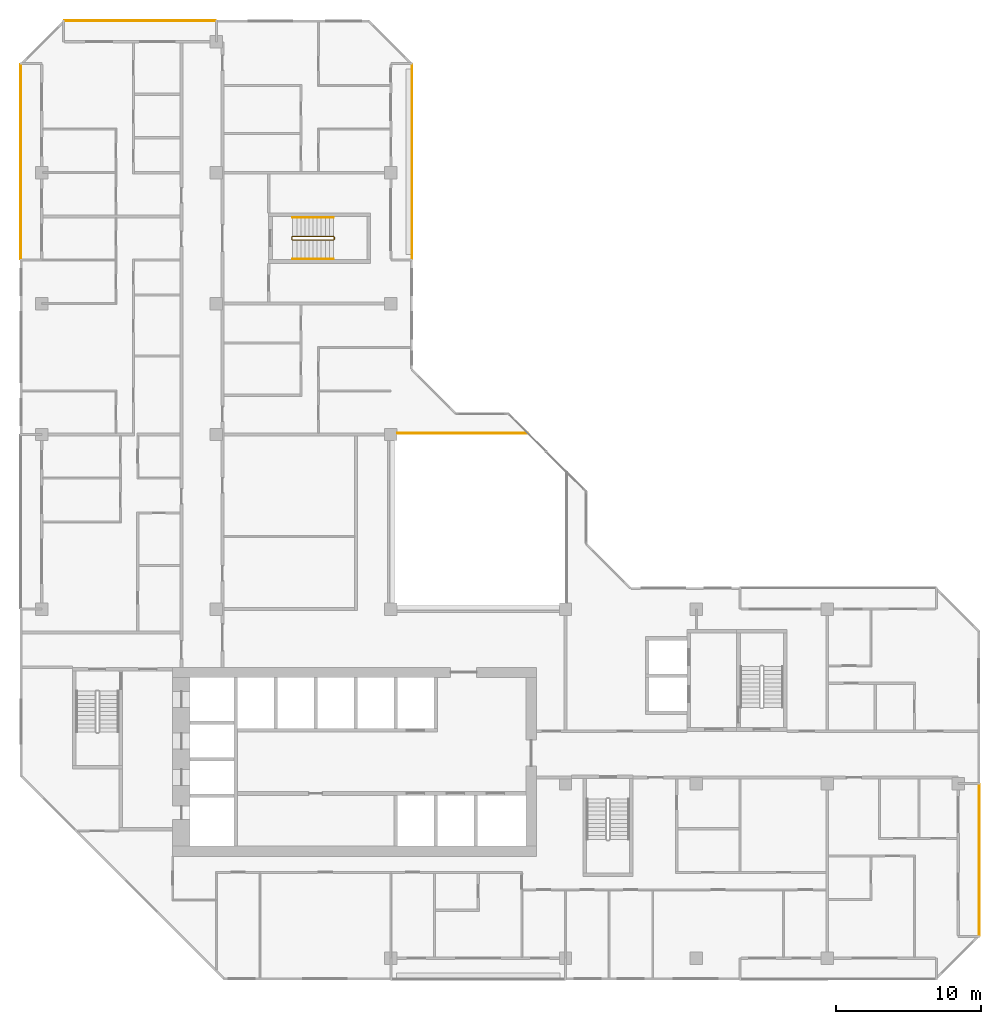
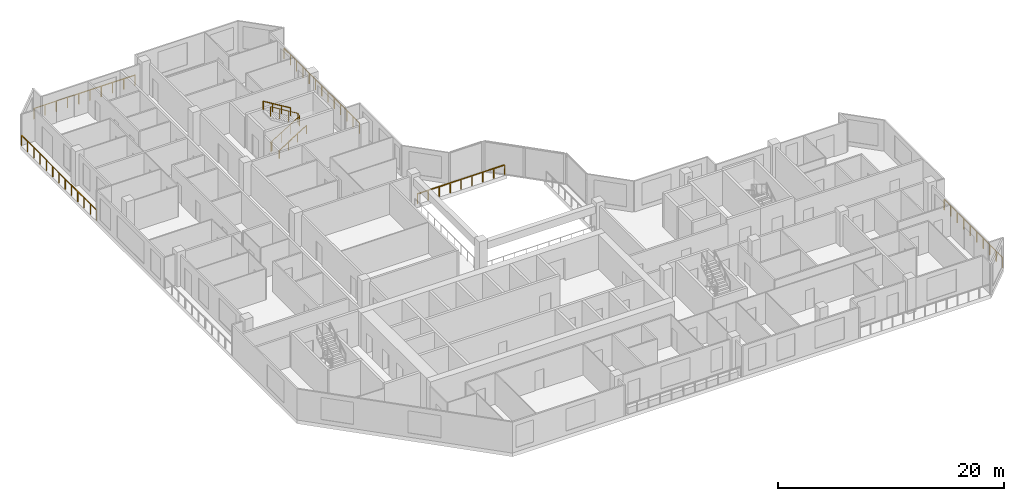
# One storey, part 14 of 14: 8 railings.
"""IFC4 building model written with IfcOpenShell, lengths in metres."""

import ifcopenshell
import ifcopenshell.guid

model = None  # the IFC model being written
_history = None  # IfcOwnerHistory: only IFC2X3 demands one
_inside = {}  # id of a spatial element -> (the spatial element, [elements in it])
_under = {}  # id of a project, library or spatial element -> (it, [spatial elements below it])
_declared = {}  # id of a project -> (the project, [libraries it declares])
_typed = {}  # id of a type object -> (the type object, [elements of that type])
_made_of = {}  # id of a material, layer set ... -> (it, [elements and type objects made of it])


def new_model(schema):
    """Start an empty IFC model of exactly this schema.

    Asked for "IFC4X3", IfcOpenShell would pick the latest addendum, in which some entities
    have other attributes; the version numbers below select the first issue.
    IFC2X3 requires an IfcOwnerHistory on every rooted entity: one is made here for all.
    """
    global model, _history
    if schema == "IFC4X3":
        model = ifcopenshell.file(schema_version=(4, 3, 0, 0))
    else:
        model = ifcopenshell.file(schema=schema)
    _inside.clear()
    _under.clear()
    _declared.clear()
    _typed.clear()
    _made_of.clear()
    _history = None
    if model.schema == "IFC2X3":
        org = make("IfcOrganization", Name="unknown")
        user = make(
            "IfcPersonAndOrganization",
            ThePerson=make("IfcPerson", FamilyName="unknown"),
            TheOrganization=org,
        )
        app = make(
            "IfcApplication",
            ApplicationDeveloper=org,
            Version="unknown",
            ApplicationFullName="unknown",
            ApplicationIdentifier="unknown",
        )
        _history = make(
            "IfcOwnerHistory",
            OwningUser=user,
            OwningApplication=app,
            ChangeAction="ADDED",
            CreationDate=0,
        )
    return model


def make(cls, **values):
    """One entity of the class cls with the attributes given. An attribute that is None is left unset."""
    return model.create_entity(
        cls, **{name: value for name, value in values.items() if value is not None}
    )


def rooted(cls, **values):
    """An entity with a GlobalId (a new one), such as an element, a storey or a relation."""
    return make(cls, GlobalId=ifcopenshell.guid.new(), OwnerHistory=_history, **values)


def si_unit(unit_type, name, prefix=None):
    """IfcSIUnit, for example si_unit("LENGTHUNIT", "METRE", prefix="MILLI")."""
    return make("IfcSIUnit", UnitType=unit_type, Prefix=prefix, Name=name)


def assignment(units):
    """IfcUnitAssignment: the units of a project."""
    return None if units is None else make("IfcUnitAssignment", Units=units)


def point(xyz):
    """IfcCartesianPoint."""
    return None if xyz is None else make("IfcCartesianPoint", Coordinates=xyz)


def direction(xyz):
    """IfcDirection."""
    return None if xyz is None else make("IfcDirection", DirectionRatios=xyz)


def frame(location, z_axis=None, x_axis=None):
    """IfcAxis2Placement3D, a coordinate frame: its origin and axes. An axis left out is left unset."""
    return make(
        "IfcAxis2Placement3D",
        Location=point(location),
        Axis=direction(z_axis),
        RefDirection=direction(x_axis),
    )


def frame_2d(location, x_axis=None):
    """IfcAxis2Placement2D, a coordinate frame in the plane: its origin and x axis."""
    return make(
        "IfcAxis2Placement2D", Location=point(location), RefDirection=direction(x_axis)
    )


def origin():
    """The frame at (0, 0, 0) with its axes left unset."""
    return frame((0.0, 0.0, 0.0))


def origin_2d():
    """The frame at (0, 0) in the plane with its x axis left unset."""
    return frame_2d((0.0, 0.0))


def place(relative_to, where):
    """IfcLocalPlacement: puts the frame where relative to a parent placement (None: the world)."""
    return make(
        "IfcLocalPlacement", PlacementRelTo=relative_to, RelativePlacement=where
    )


def context(
    kind, dimensions, precision=None, world=None, true_north=None, identifier=None
):
    """IfcGeometricRepresentationContext, for example the 3D "Model" context."""
    return make(
        "IfcGeometricRepresentationContext",
        ContextIdentifier=identifier,
        ContextType=kind,
        CoordinateSpaceDimension=dimensions,
        Precision=precision,
        WorldCoordinateSystem=world,
        TrueNorth=true_north,
    )


def subcontext(parent, identifier, kind, view, scale=None):
    """IfcGeometricRepresentationSubContext, for example "Body" below "Model"."""
    return make(
        "IfcGeometricRepresentationSubContext",
        ContextIdentifier=identifier,
        ContextType=kind,
        ParentContext=parent,
        TargetScale=scale,
        TargetView=view,
    )


def project(units=None, contexts=None):
    """IfcProject with its units and contexts."""
    return rooted(
        "IfcProject",
        Name="project",
        RepresentationContexts=contexts,
        UnitsInContext=assignment(units),
    )


def spatial(cls, under=None, at=None, **own):
    """A site, building, storey or space (cls), placed at a placement, below another one or the project."""
    s = rooted(cls, ObjectPlacement=at, **own)
    if under is not None:
        _under.setdefault(under.id(), (under, []))[1].append(s)
    return s


def profile(cls, at=None, kind="AREA", **sizes):
    """A parametric profile (cls). Its sizes go by their IFC names, for example OverallWidth=200.0."""
    return make(cls, ProfileType=kind, Position=at, **sizes)


def rectangle(**sizes):
    """IfcRectangleProfileDef."""
    return profile("IfcRectangleProfileDef", **sizes)


def extrude(swept, where, along, depth):
    """IfcExtrudedAreaSolid: the profile swept, set in the frame where, extruded along a direction by depth."""
    return make(
        "IfcExtrudedAreaSolid",
        SweptArea=swept,
        Position=where,
        ExtrudedDirection=direction(along),
        Depth=depth,
    )


def shape(context_of_items, identifier, shape_type, items):
    """IfcShapeRepresentation: the items that make up one representation, for example the "Body"."""
    return make(
        "IfcShapeRepresentation",
        ContextOfItems=context_of_items,
        RepresentationIdentifier=identifier,
        RepresentationType=shape_type,
        Items=items,
    )


def material(Name=None, Category=None):
    """IfcMaterial."""
    return make("IfcMaterial", Name=Name, Category=Category)


def made_of(thing, what):
    """Note that an element or type object is made of a material, layer set ...; save() writes the relation."""
    if what is not None:
        _made_of.setdefault(what.id(), (what, []))[1].append(thing)
    return thing


def type_object(cls, material=None, **own):
    """A type object (cls), such as IfcWallType, which elements share."""
    return made_of(rooted(cls, **own), material)


def element(
    cls,
    number,
    at=None,
    inside=None,
    cuts=None,
    type_object=None,
    material=None,
    context=None,
    identifier="Body",
    shape_type=None,
    held_by="IfcProductDefinitionShape",
    body=None,
    shapes=None,
    **own,
):
    """One element of the class cls, such as IfcWall. Its Tag is "e" and its number.

    at: its placement. inside: the storey or other place that contains it. cuts: it is an
    opening in that element (IfcRelVoidsElement). A single representation is given by context,
    identifier, shape_type and body (its items); several are given by shapes. held_by: the class
    of the entity that holds the representations. save() writes the other relations.
    """
    e = rooted(cls, Tag="e%d" % number, ObjectPlacement=at, **own)
    if body is not None:
        shapes = [shape(context, identifier, shape_type, body)]
    if shapes is not None:
        e.Representation = make(held_by, Representations=shapes)
    if inside is not None:
        _inside.setdefault(inside.id(), (inside, []))[1].append(e)
    if cuts is not None:
        rooted(
            "IfcRelVoidsElement", RelatingBuildingElement=cuts, RelatedOpeningElement=e
        )
    if type_object is not None:
        _typed.setdefault(type_object.id(), (type_object, []))[1].append(e)
    return made_of(e, material)


def aggregate(whole, parts):
    """IfcRelAggregates: a whole, such as a stair, and the parts it consists of."""
    return rooted("IfcRelAggregates", RelatingObject=whole, RelatedObjects=parts)


def save(model, path):
    """Write the relations noted so far, then the file.

    IfcRelAggregates (storeys below a building ...), IfcRelContainedInSpatialStructure (elements
    in a storey), IfcRelDefinesByType, IfcRelAssociatesMaterial and IfcRelDeclares: one each for
    every whole, place, type object, material and project.
    """
    for whole, parts in _under.values():
        aggregate(whole, parts)
    for where, things in _inside.values():
        rooted(
            "IfcRelContainedInSpatialStructure",
            RelatedElements=things,
            RelatingStructure=where,
        )
    for kind, things in _typed.values():
        rooted("IfcRelDefinesByType", RelatedObjects=things, RelatingType=kind)
    for what, things in _made_of.values():
        rooted("IfcRelAssociatesMaterial", RelatedObjects=things, RelatingMaterial=what)
    for by, libraries in _declared.values():
        rooted("IfcRelDeclares", RelatingContext=by, RelatedDefinitions=libraries)
    model.write(path)


model = new_model("IFC4")

# Units and contexts
model_context = context("Model", 3, precision=1e-05, world=origin(), true_north=direction((0.0, 1.0)))
body_context = subcontext(model_context, "Body", "Model", "MODEL_VIEW")
ifc_project = project(units=[si_unit("LENGTHUNIT", "METRE"), si_unit("AREAUNIT", "SQUARE_METRE"), si_unit("VOLUMEUNIT", "CUBIC_METRE"), si_unit("PLANEANGLEUNIT", "RADIAN"), si_unit("MASSUNIT", "GRAM", prefix="KILO")], contexts=[model_context])

# Site, building, storey
site_placement = place(None, origin())
site = spatial("IfcSite", under=ifc_project, at=site_placement, CompositionType="ELEMENT")
building_placement = place(site_placement, origin())
building = spatial("IfcBuilding", under=site, at=building_placement, Name="Chenar Terraces", CompositionType="ELEMENT")
storey_placement = place(building_placement, frame((0.0, 0.0, 241.64990234375)))
storey = spatial("IfcBuildingStorey", under=building, at=storey_placement, Name="L57", CompositionType="ELEMENT", Elevation=241.64990234375)

# Railings
ifc_material_1 = material(Name="Powder-coated steel", Category="steel")
railing_type_1 = type_object("IfcRailingType", Name="Guard 1100 steel rail with glass infill", PredefinedType="GUARDRAIL", material=ifc_material_1)
railing_1_placement = place(storey_placement, frame((24.47509765625, 36.10009765625, 0.0)))
element("IfcRailing", 1, at=railing_1_placement, inside=storey, type_object=railing_type_1, Name="Guard L57-2", PredefinedType="GUARDRAIL", context=body_context, shape_type="SweptSolid", body=[
    extrude(rectangle(XDim=0.06005859375, YDim=0.06005859375, at=origin_2d()), frame((0.0, 0.0, 1.070068359375), z_axis=(1.0, 0.0, 0.0), x_axis=(0.0, 1.0, 0.0)), (0.0, 0.0, 1.0), 8.9248046875),
    extrude(rectangle(XDim=0.050048828125, YDim=0.050048828125, at=origin_2d()), origin(), (0.0, 0.0, 1.0), 1.0400390625),
    extrude(rectangle(XDim=0.050048828125, YDim=0.050048828125, at=origin_2d()), frame((1.11572265625, 0.0, 0.0)), (0.0, 0.0, 1.0), 1.0400390625),
    extrude(rectangle(XDim=0.050048828125, YDim=0.050048828125, at=origin_2d()), frame((2.231201171875, 0.0, 0.0)), (0.0, 0.0, 1.0), 1.0400390625),
    extrude(rectangle(XDim=0.050048828125, YDim=0.050048828125, at=origin_2d()), frame((3.3466796875, 0.0, 0.0)), (0.0, 0.0, 1.0), 1.0400390625),
    extrude(rectangle(XDim=0.050048828125, YDim=0.050048828125, at=origin_2d()), frame((4.46240234375, 0.0, 0.0)), (0.0, 0.0, 1.0), 1.0400390625),
    extrude(rectangle(XDim=0.050048828125, YDim=0.050048828125, at=origin_2d()), frame((5.578125, 0.0, 0.0)), (0.0, 0.0, 1.0), 1.0400390625),
    extrude(rectangle(XDim=0.050048828125, YDim=0.050048828125, at=origin_2d()), frame((6.693603515625, 0.0, 0.0)), (0.0, 0.0, 1.0), 1.0400390625),
    extrude(rectangle(XDim=0.050048828125, YDim=0.050048828125, at=origin_2d()), frame((7.80908203125, 0.0, 0.0)), (0.0, 0.0, 1.0), 1.0400390625),
    extrude(rectangle(XDim=0.050048828125, YDim=0.050048828125, at=origin_2d()), frame((8.9248046875, 0.0, 0.0)), (0.0, 0.0, 1.0), 1.0400390625),
])
ifc_material_2 = material(Name="Stainless steel and glass", Category="steel")
railing_type_2 = type_object("IfcRailingType", Name="Loggia guard 1150", PredefinedType="GUARDRAIL", material=ifc_material_2)
railing_2_placement = place(storey_placement, frame((25.449951171875, 48.074951171875, 0.0)))
element("IfcRailing", 2, at=railing_2_placement, inside=storey, type_object=railing_type_2, Name="Loggia guard", PredefinedType="GUARDRAIL", context=body_context, shape_type="SweptSolid", body=[
    extrude(rectangle(XDim=0.048095703125, YDim=0.048095703125, at=origin_2d()), frame((0.0, 0.0, 1.1259765625), z_axis=(0.0, 1.0, 0.0), x_axis=(-1.0, 0.0, 0.0)), (0.0, 0.0, 1.0), 13.35009765625),
    extrude(rectangle(XDim=0.0419921875, YDim=0.0419921875, at=origin_2d()), origin(), (0.0, 0.0, 1.0), 1.101806640625),
    extrude(rectangle(XDim=0.0419921875, YDim=0.0419921875, at=origin_2d()), frame((0.0, 1.112548828125, 0.0)), (0.0, 0.0, 1.0), 1.101806640625),
    extrude(rectangle(XDim=0.0419921875, YDim=0.0419921875, at=origin_2d()), frame((0.0, 2.22509765625, 0.0)), (0.0, 0.0, 1.0), 1.101806640625),
    extrude(rectangle(XDim=0.0419921875, YDim=0.0419921875, at=origin_2d()), frame((0.0, 3.33740234375, 0.0)), (0.0, 0.0, 1.0), 1.101806640625),
    extrude(rectangle(XDim=0.0419921875, YDim=0.0419921875, at=origin_2d()), frame((0.0, 4.449951171875, 0.0)), (0.0, 0.0, 1.0), 1.101806640625),
    extrude(rectangle(XDim=0.0419921875, YDim=0.0419921875, at=origin_2d()), frame((0.0, 5.5625, 0.0)), (0.0, 0.0, 1.0), 1.101806640625),
    extrude(rectangle(XDim=0.0419921875, YDim=0.0419921875, at=origin_2d()), frame((0.0, 6.675048828125, 0.0)), (0.0, 0.0, 1.0), 1.101806640625),
    extrude(rectangle(XDim=0.0419921875, YDim=0.0419921875, at=origin_2d()), frame((0.0, 7.78759765625, 0.0)), (0.0, 0.0, 1.0), 1.101806640625),
    extrude(rectangle(XDim=0.0419921875, YDim=0.0419921875, at=origin_2d()), frame((0.0, 8.900146484375, 0.0)), (0.0, 0.0, 1.0), 1.101806640625),
    extrude(rectangle(XDim=0.0419921875, YDim=0.0419921875, at=origin_2d()), frame((0.0, 10.0126953125, 0.0)), (0.0, 0.0, 1.0), 1.101806640625),
    extrude(rectangle(XDim=0.0419921875, YDim=0.0419921875, at=origin_2d()), frame((0.0, 11.125, 0.0)), (0.0, 0.0, 1.0), 1.101806640625),
    extrude(rectangle(XDim=0.0419921875, YDim=0.0419921875, at=origin_2d()), frame((0.0, 12.237548828125, 0.0)), (0.0, 0.0, 1.0), 1.101806640625),
    extrude(rectangle(XDim=0.0419921875, YDim=0.0419921875, at=origin_2d()), frame((0.0, 13.35009765625, 0.0)), (0.0, 0.0, 1.0), 1.101806640625),
])
railing_3_placement = place(storey_placement, frame((64.449951171875, 1.574951171875, 0.0)))
element("IfcRailing", 3, at=railing_3_placement, inside=storey, type_object=railing_type_2, Name="Loggia guard", PredefinedType="GUARDRAIL", context=body_context, shape_type="SweptSolid", body=[
    extrude(rectangle(XDim=0.048095703125, YDim=0.048095703125, at=origin_2d()), frame((0.0, 0.0, 1.1259765625), z_axis=(0.0, 1.0, 0.0), x_axis=(-1.0, 0.0, 0.0)), (0.0, 0.0, 1.0), 10.35009765625),
    extrude(rectangle(XDim=0.0419921875, YDim=0.0419921875, at=origin_2d()), origin(), (0.0, 0.0, 1.0), 1.101806640625),
    extrude(rectangle(XDim=0.0419921875, YDim=0.0419921875, at=origin_2d()), frame((0.0, 1.14990234375, 0.0)), (0.0, 0.0, 1.0), 1.101806640625),
    extrude(rectangle(XDim=0.0419921875, YDim=0.0419921875, at=origin_2d()), frame((0.0, 2.300048828125, 0.0)), (0.0, 0.0, 1.0), 1.101806640625),
    extrude(rectangle(XDim=0.0419921875, YDim=0.0419921875, at=origin_2d()), frame((0.0, 3.449951171875, 0.0)), (0.0, 0.0, 1.0), 1.101806640625),
    extrude(rectangle(XDim=0.0419921875, YDim=0.0419921875, at=origin_2d()), frame((0.0, 4.60009765625, 0.0)), (0.0, 0.0, 1.0), 1.101806640625),
    extrude(rectangle(XDim=0.0419921875, YDim=0.0419921875, at=origin_2d()), frame((0.0, 5.75, 0.0)), (0.0, 0.0, 1.0), 1.101806640625),
    extrude(rectangle(XDim=0.0419921875, YDim=0.0419921875, at=origin_2d()), frame((0.0, 6.900146484375, 0.0)), (0.0, 0.0, 1.0), 1.101806640625),
    extrude(rectangle(XDim=0.0419921875, YDim=0.0419921875, at=origin_2d()), frame((0.0, 8.050048828125, 0.0)), (0.0, 0.0, 1.0), 1.101806640625),
    extrude(rectangle(XDim=0.0419921875, YDim=0.0419921875, at=origin_2d()), frame((0.0, 9.2001953125, 0.0)), (0.0, 0.0, 1.0), 1.101806640625),
    extrude(rectangle(XDim=0.0419921875, YDim=0.0419921875, at=origin_2d()), frame((0.0, 10.35009765625, 0.0)), (0.0, 0.0, 1.0), 1.101806640625),
])
railing_4_placement = place(storey_placement, frame((11.925048828125, 64.449951171875, 0.0)))
element("IfcRailing", 4, at=railing_4_placement, inside=storey, type_object=railing_type_2, Name="Loggia guard", PredefinedType="GUARDRAIL", context=body_context, shape_type="SweptSolid", body=[
    extrude(rectangle(XDim=0.048095703125, YDim=0.048095703125, at=origin_2d()), frame((0.0, 0.0, 1.1259765625), z_axis=(-1.0, 0.0, 0.0), x_axis=(0.0, -1.0, 0.0)), (0.0, 0.0, 1.0), 10.35009765625),
    extrude(rectangle(XDim=0.0419921875, YDim=0.0419921875, at=origin_2d()), origin(), (0.0, 0.0, 1.0), 1.101806640625),
    extrude(rectangle(XDim=0.0419921875, YDim=0.0419921875, at=origin_2d()), frame((-1.14990234375, 0.0, 0.0)), (0.0, 0.0, 1.0), 1.101806640625),
    extrude(rectangle(XDim=0.0419921875, YDim=0.0419921875, at=origin_2d()), frame((-2.300048828125, 0.0, 0.0)), (0.0, 0.0, 1.0), 1.101806640625),
    extrude(rectangle(XDim=0.0419921875, YDim=0.0419921875, at=origin_2d()), frame((-3.449951171875, 0.0, 0.0)), (0.0, 0.0, 1.0), 1.101806640625),
    extrude(rectangle(XDim=0.0419921875, YDim=0.0419921875, at=origin_2d()), frame((-4.60009765625, 0.0, 0.0)), (0.0, 0.0, 1.0), 1.101806640625),
    extrude(rectangle(XDim=0.0419921875, YDim=0.0419921875, at=origin_2d()), frame((-5.75, 0.0, 0.0)), (0.0, 0.0, 1.0), 1.101806640625),
    extrude(rectangle(XDim=0.0419921875, YDim=0.0419921875, at=origin_2d()), frame((-6.900146484375, 0.0, 0.0)), (0.0, 0.0, 1.0), 1.101806640625),
    extrude(rectangle(XDim=0.0419921875, YDim=0.0419921875, at=origin_2d()), frame((-8.050048828125, 0.0, 0.0)), (0.0, 0.0, 1.0), 1.101806640625),
    extrude(rectangle(XDim=0.0419921875, YDim=0.0419921875, at=origin_2d()), frame((-9.2001953125, 0.0, 0.0)), (0.0, 0.0, 1.0), 1.101806640625),
    extrude(rectangle(XDim=0.0419921875, YDim=0.0419921875, at=origin_2d()), frame((-10.35009765625, 0.0, 0.0)), (0.0, 0.0, 1.0), 1.101806640625),
])
railing_5_placement = place(storey_placement, frame((-1.449951171875, 61.425048828125, 0.0)))
element("IfcRailing", 5, at=railing_5_placement, inside=storey, type_object=railing_type_2, Name="Loggia guard", PredefinedType="GUARDRAIL", context=body_context, shape_type="SweptSolid", body=[
    extrude(rectangle(XDim=0.048095703125, YDim=0.048095703125, at=origin_2d()), frame((0.0, 0.0, 1.1259765625), z_axis=(0.0, -1.0, 0.0), x_axis=(1.0, 0.0, 0.0)), (0.0, 0.0, 1.0), 13.35009765625),
    extrude(rectangle(XDim=0.0419921875, YDim=0.0419921875, at=origin_2d()), origin(), (0.0, 0.0, 1.0), 1.101806640625),
    extrude(rectangle(XDim=0.0419921875, YDim=0.0419921875, at=origin_2d()), frame((0.0, -1.112548828125, 0.0)), (0.0, 0.0, 1.0), 1.101806640625),
    extrude(rectangle(XDim=0.0419921875, YDim=0.0419921875, at=origin_2d()), frame((0.0, -2.22509765625, 0.0)), (0.0, 0.0, 1.0), 1.101806640625),
    extrude(rectangle(XDim=0.0419921875, YDim=0.0419921875, at=origin_2d()), frame((0.0, -3.33740234375, 0.0)), (0.0, 0.0, 1.0), 1.101806640625),
    extrude(rectangle(XDim=0.0419921875, YDim=0.0419921875, at=origin_2d()), frame((0.0, -4.449951171875, 0.0)), (0.0, 0.0, 1.0), 1.101806640625),
    extrude(rectangle(XDim=0.0419921875, YDim=0.0419921875, at=origin_2d()), frame((0.0, -5.5625, 0.0)), (0.0, 0.0, 1.0), 1.101806640625),
    extrude(rectangle(XDim=0.0419921875, YDim=0.0419921875, at=origin_2d()), frame((0.0, -6.675048828125, 0.0)), (0.0, 0.0, 1.0), 1.101806640625),
    extrude(rectangle(XDim=0.0419921875, YDim=0.0419921875, at=origin_2d()), frame((0.0, -7.78759765625, 0.0)), (0.0, 0.0, 1.0), 1.101806640625),
    extrude(rectangle(XDim=0.0419921875, YDim=0.0419921875, at=origin_2d()), frame((0.0, -8.900146484375, 0.0)), (0.0, 0.0, 1.0), 1.101806640625),
    extrude(rectangle(XDim=0.0419921875, YDim=0.0419921875, at=origin_2d()), frame((0.0, -10.0126953125, 0.0)), (0.0, 0.0, 1.0), 1.101806640625),
    extrude(rectangle(XDim=0.0419921875, YDim=0.0419921875, at=origin_2d()), frame((0.0, -11.125, 0.0)), (0.0, 0.0, 1.0), 1.101806640625),
    extrude(rectangle(XDim=0.0419921875, YDim=0.0419921875, at=origin_2d()), frame((0.0, -12.237548828125, 0.0)), (0.0, 0.0, 1.0), 1.101806640625),
    extrude(rectangle(XDim=0.0419921875, YDim=0.0419921875, at=origin_2d()), frame((0.0, -13.35009765625, 0.0)), (0.0, 0.0, 1.0), 1.101806640625),
])
ifc_material_3 = material(Name="Powder-coated steel", Category="steel")
railing_type_3 = type_object("IfcRailingType", Name="Stair guard 1100", PredefinedType="GUARDRAIL", material=ifc_material_3)
railing_6_placement = place(storey_placement, frame((17.25, 49.625, 3.75)))
element("IfcRailing", 6, at=railing_6_placement, inside=storey, type_object=railing_type_3, Name="L57 ST4 stair guard 1", PredefinedType="GUARDRAIL", context=body_context, shape_type="SweptSolid", body=[
    extrude(rectangle(XDim=0.048095703125, YDim=0.048095703125, at=origin_2d()), frame((0.0, 0.0, 1.076171875), z_axis=(0.854202870247, 0.0, -0.519939858505), x_axis=(0.0, 1.0, 0.0)), (0.0, 0.0, 1.0), 3.278076171875),
    extrude(rectangle(XDim=0.048095703125, YDim=0.048095703125, at=origin_2d()), frame((2.800048828125, 0.0, -0.62841796875), z_axis=(0.270899902878, -0.270899902878, -0.923702595667), x_axis=(0.707106781187, 0.707106781187, 0.0)), (0.0, 0.0, 1.0), 0.184814453125),
    extrude(rectangle(XDim=0.048095703125, YDim=0.048095703125, at=origin_2d()), frame((2.85009765625, -0.050048828125, -0.798828125), z_axis=(0.0, -1.0, 0.0), x_axis=(1.0, 0.0, 0.0)), (0.0, 0.0, 1.0), 0.14990234375),
    extrude(rectangle(XDim=0.048095703125, YDim=0.048095703125, at=origin_2d()), frame((2.85009765625, -0.199951171875, -0.798828125), z_axis=(-0.707106781187, -0.707106781187, 0.0), x_axis=(0.707106781187, -0.707106781187, 0.0)), (0.0, 0.0, 1.0), 0.07080078125),
    extrude(rectangle(XDim=0.048095703125, YDim=0.048095703125, at=origin_2d()), frame((2.800048828125, -0.25, -0.798828125), z_axis=(-0.854202870247, 0.0, -0.519939858505), x_axis=(0.0, -1.0, 0.0)), (0.0, 0.0, 1.0), 3.278076171875),
    extrude(rectangle(XDim=0.048095703125, YDim=0.048095703125, at=origin_2d()), frame((0.0, -0.25, -2.50341796875), z_axis=(-0.270899902878, 0.270899902878, -0.923702595667), x_axis=(-0.707106781187, -0.707106781187, 0.0)), (0.0, 0.0, 1.0), 0.184814453125),
    extrude(rectangle(XDim=0.048095703125, YDim=0.048095703125, at=origin_2d()), frame((-0.050048828125, -0.199951171875, -2.673828125), z_axis=(0.0, 1.0, 0.0), x_axis=(-1.0, 0.0, 0.0)), (0.0, 0.0, 1.0), 0.14990234375),
    extrude(rectangle(XDim=0.0419921875, YDim=0.0419921875, at=origin_2d()), origin(), (0.0, 0.0, 1.0), 1.052001953125),
    extrude(rectangle(XDim=0.0419921875, YDim=0.0419921875, at=origin_2d()), frame((0.933349609375, 0.0, -0.568115234375)), (0.0, 0.0, 1.0), 1.052001953125),
    extrude(rectangle(XDim=0.0419921875, YDim=0.0419921875, at=origin_2d()), frame((1.86669921875, 0.0, -1.13623046875)), (0.0, 0.0, 1.0), 1.052001953125),
    extrude(rectangle(XDim=0.0419921875, YDim=0.0419921875, at=origin_2d()), frame((2.800048828125, 0.0, -1.704345703125)), (0.0, 0.0, 1.0), 1.052001953125),
    extrude(rectangle(XDim=0.0419921875, YDim=0.0419921875, at=origin_2d()), frame((2.85009765625, -0.050048828125, -1.875)), (0.0, 0.0, 1.0), 1.052001953125),
    extrude(rectangle(XDim=0.0419921875, YDim=0.0419921875, at=origin_2d()), frame((2.85009765625, -0.199951171875, -1.875)), (0.0, 0.0, 1.0), 1.052001953125),
    extrude(rectangle(XDim=0.0419921875, YDim=0.0419921875, at=origin_2d()), frame((2.800048828125, -0.25, -1.875)), (0.0, 0.0, 1.0), 1.052001953125),
    extrude(rectangle(XDim=0.0419921875, YDim=0.0419921875, at=origin_2d()), frame((1.86669921875, -0.25, -2.443115234375)), (0.0, 0.0, 1.0), 1.052001953125),
    extrude(rectangle(XDim=0.0419921875, YDim=0.0419921875, at=origin_2d()), frame((0.933349609375, -0.25, -3.01123046875)), (0.0, 0.0, 1.0), 1.052001953125),
    extrude(rectangle(XDim=0.0419921875, YDim=0.0419921875, at=origin_2d()), frame((0.0, -0.25, -3.579345703125)), (0.0, 0.0, 1.0), 1.052001953125),
    extrude(rectangle(XDim=0.0419921875, YDim=0.0419921875, at=origin_2d()), frame((-0.050048828125, -0.199951171875, -3.75)), (0.0, 0.0, 1.0), 1.052001953125),
    extrude(rectangle(XDim=0.0419921875, YDim=0.0419921875, at=origin_2d()), frame((-0.050048828125, -0.050048828125, -3.75)), (0.0, 0.0, 1.0), 1.052001953125),
])
ifc_material_4 = material(Name="Powder-coated steel", Category="steel")
railing_type_4 = type_object("IfcRailingType", Name="Stair handrail 900", PredefinedType="HANDRAIL", material=ifc_material_4)
railing_7_placement = place(storey_placement, frame((17.25, 48.074951171875, 0.170654296875)))
element("IfcRailing", 7, at=railing_7_placement, inside=storey, type_object=railing_type_4, Name="L57 ST4 stair handrail 1", PredefinedType="HANDRAIL", context=body_context, shape_type="SweptSolid", body=[
    extrude(rectangle(XDim=0.048095703125, YDim=0.048095703125, at=origin_2d()), frame((0.0, 0.0, 0.8759765625), z_axis=(0.854202870247, 0.0, 0.519939858505), x_axis=(0.0, 1.0, 0.0)), (0.0, 0.0, 1.0), 3.278076171875),
    extrude(rectangle(XDim=0.0419921875, YDim=0.0419921875, at=origin_2d()), origin(), (0.0, 0.0, 1.0), 0.851806640625),
    extrude(rectangle(XDim=0.0419921875, YDim=0.0419921875, at=origin_2d()), frame((0.933349609375, 0.0, 0.568115234375)), (0.0, 0.0, 1.0), 0.851806640625),
    extrude(rectangle(XDim=0.0419921875, YDim=0.0419921875, at=origin_2d()), frame((1.86669921875, 0.0, 1.13623046875)), (0.0, 0.0, 1.0), 0.851806640625),
    extrude(rectangle(XDim=0.0419921875, YDim=0.0419921875, at=origin_2d()), frame((2.800048828125, 0.0, 1.704345703125)), (0.0, 0.0, 1.0), 0.851806640625),
])
railing_8_placement = place(storey_placement, frame((20.050048828125, 50.925048828125, 2.045654296875)))
element("IfcRailing", 8, at=railing_8_placement, inside=storey, type_object=railing_type_4, Name="L57 ST4 stair handrail 2", PredefinedType="HANDRAIL", context=body_context, shape_type="SweptSolid", body=[
    extrude(rectangle(XDim=0.048095703125, YDim=0.048095703125, at=origin_2d()), frame((0.0, 0.0, 0.8759765625), z_axis=(-0.854202870247, 0.0, 0.519939858505), x_axis=(0.0, -1.0, 0.0)), (0.0, 0.0, 1.0), 3.278076171875),
    extrude(rectangle(XDim=0.0419921875, YDim=0.0419921875, at=origin_2d()), origin(), (0.0, 0.0, 1.0), 0.851806640625),
    extrude(rectangle(XDim=0.0419921875, YDim=0.0419921875, at=origin_2d()), frame((-0.933349609375, 0.0, 0.568115234375)), (0.0, 0.0, 1.0), 0.851806640625),
    extrude(rectangle(XDim=0.0419921875, YDim=0.0419921875, at=origin_2d()), frame((-1.86669921875, 0.0, 1.13623046875)), (0.0, 0.0, 1.0), 0.851806640625),
    extrude(rectangle(XDim=0.0419921875, YDim=0.0419921875, at=origin_2d()), frame((-2.800048828125, 0.0, 1.704345703125)), (0.0, 0.0, 1.0), 0.851806640625),
])

save(model, "model.ifc")
